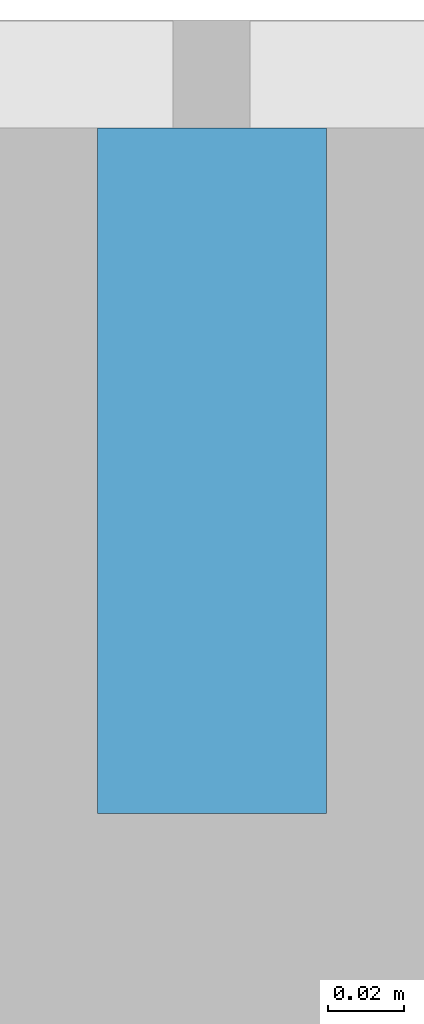
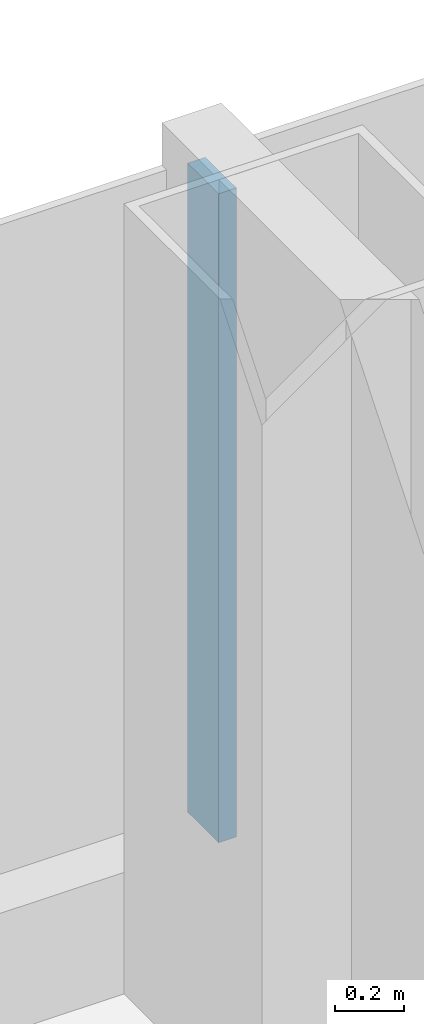
# One storey, part 8 of 29: 1 member, 1 element without a shape of its own.
"""IFC4 building model written with IfcOpenShell, lengths in metres."""

from ifc_helpers import new_model, si_unit, direction, frame, origin, origin_2d, place, context, subcontext, project, spatial, rectangle, extrude, material, layer, layer_set, material_profile, profile_set, type_object, element, aggregate, save


model = new_model("IFC4")

# Units and contexts
model_context = context("Model", 3, precision=1e-05, world=origin(), true_north=direction((0.0, 1.0)))
body_context = subcontext(model_context, "Body", "Model", "MODEL_VIEW")
ifc_project = project(units=[si_unit("LENGTHUNIT", "METRE"), si_unit("AREAUNIT", "SQUARE_METRE"), si_unit("VOLUMEUNIT", "CUBIC_METRE"), si_unit("PLANEANGLEUNIT", "RADIAN"), si_unit("MASSUNIT", "GRAM", prefix="KILO")], contexts=[model_context])

# Site, building, storey
site_placement = place(None, origin())
site = spatial("IfcSite", under=ifc_project, at=site_placement, CompositionType="ELEMENT")
building_placement = place(site_placement, origin())
building = spatial("IfcBuilding", under=site, at=building_placement, Name="Hakoniwa Tower and Hamabe Station Hall", CompositionType="ELEMENT")
storey_placement = place(building_placement, frame((0.0, 0.0, 101.0)))
storey = spatial("IfcBuildingStorey", under=building, at=storey_placement, Name="L28", CompositionType="ELEMENT", Elevation=101.0)

# Curtain wall, member
ifc_material_1 = material(Name="Dark low-e laminated glass", Category="glass")
ifc_layer = layer(ifc_material_1, 0.199951171875)
ifc_layer_set = layer_set([ifc_layer], Name="CW-1 UNITISED GUEST")
curtain_wall_type = type_object("IfcCurtainWallType", Name="CW-1 UNITISED GUEST", PredefinedType="NOTDEFINED", material=ifc_layer_set)
curtain_wall_placement = place(storey_placement, origin())
curtain_wall = element("IfcCurtainWall", 1, at=curtain_wall_placement, inside=storey, type_object=curtain_wall_type, Name="CW-1 curtain wall", PredefinedType="NOTDEFINED")
ifc_material_2 = material(Name="Aluminium 6063-T5 black anodised", Category="aluminium")
ifc_material_profile = material_profile(ifc_material_2, rectangle(XDim=0.06005859375, YDim=0.179931640625, at=origin_2d()), Name="CW-1 MULLION 60X180")
ifc_profile_set = profile_set([ifc_material_profile], Name="Aluminium 6063-T5 black anodised")
member_type = type_object("IfcMemberType", Name="CW-1 MULLION 60X180", PredefinedType="MULLION", material=ifc_profile_set)
member_placement = place(storey_placement, frame((-8.39990234375, 23.431884765625, 0.35009765625), z_axis=(0.0, 0.0, 1.0), x_axis=(-1.0, 0.0, 0.0)))
member = element("IfcMember", 2, at=member_placement, type_object=member_type, Name="CW-1 mullion", PredefinedType="MULLION", context=body_context, shape_type="SweptSolid", body=[
    extrude(rectangle(XDim=0.06005859375, YDim=0.179931640625, at=origin_2d()), origin(), (0.0, 0.0, 1.0), 2.2998046875),
])
aggregate(curtain_wall, [member])

save(model, "model.ifc")
